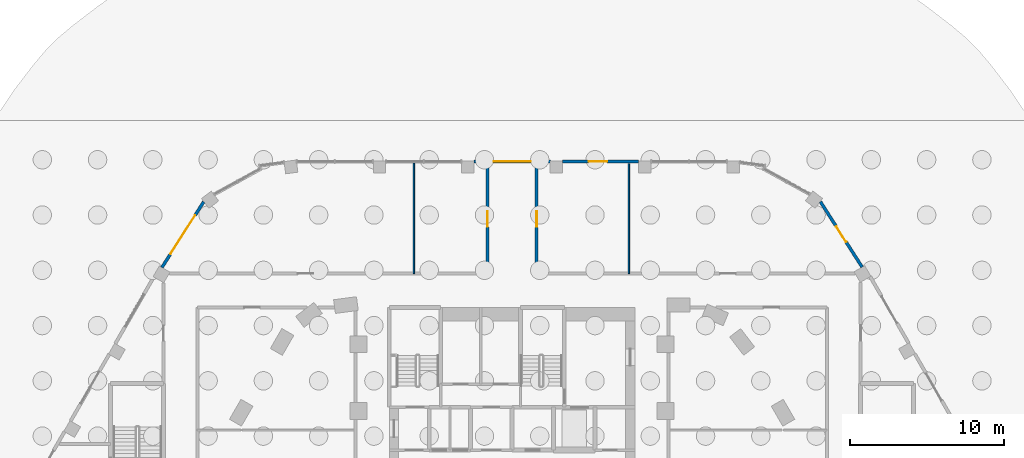
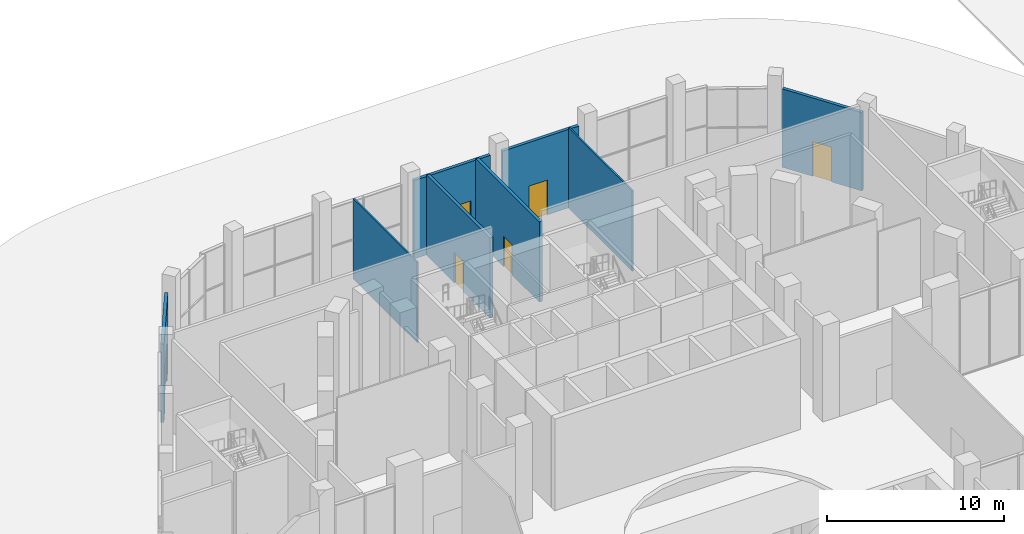
# One storey, part 33 of 44: 8 walls, 6 doors, 6 openings.
"""IFC4 building model written with IfcOpenShell, lengths in metres."""

from ifc_helpers import new_model, si_unit, direction, frame, frame_2d, origin, place, context, subcontext, project, spatial, rectangle, extrude, material, layer, layer_set, type_object, element, fill, save


model = new_model("IFC4")

# Units and contexts
model_context = context("Model", 3, precision=1e-05, world=origin(), true_north=direction((0.0, 1.0)))
body_context = subcontext(model_context, "Body", "Model", "MODEL_VIEW")
ifc_project = project(units=[si_unit("LENGTHUNIT", "METRE"), si_unit("AREAUNIT", "SQUARE_METRE"), si_unit("VOLUMEUNIT", "CUBIC_METRE"), si_unit("PLANEANGLEUNIT", "RADIAN"), si_unit("MASSUNIT", "GRAM", prefix="KILO")], contexts=[model_context])

# Site, building, storey
site_placement = place(None, origin())
site = spatial("IfcSite", under=ifc_project, at=site_placement, CompositionType="ELEMENT")
building_placement = place(site_placement, origin())
building = spatial("IfcBuilding", under=site, at=building_placement, Name="Nakaniwa Court", CompositionType="ELEMENT")
storey_placement = place(building_placement, origin())
storey = spatial("IfcBuildingStorey", under=building, at=storey_placement, Name="L00", CompositionType="ELEMENT", Elevation=0.0)

# Wall, opening, door
ifc_material_1 = material(Name="Acoustic double stud partition")
ifc_layer_1 = layer(ifc_material_1, 0.199951171875)
ifc_layer_set_1 = layer_set([ifc_layer_1], Name="Acoustic double stud partition")
wall_type_1 = type_object("IfcWallType", Name="Acoustic double stud partition 200", PredefinedType="PARTITIONING", material=ifc_layer_set_1)
wall_1_placement = place(storey_placement, frame((81.60009765625, 112.77001953125, 0.0), z_axis=(0.0, 0.0, 1.0), x_axis=(0.0, -1.0, 0.0)))
wall_1 = element("IfcWall", 1, at=wall_1_placement, inside=storey, type_object=wall_type_1, Name="Partition PW-100", PredefinedType="PARTITIONING", context=body_context, shape_type="SweptSolid", body=[
    extrude(rectangle(XDim=7.169921875, YDim=0.199951171875, at=frame_2d((3.5849609375, 0.0))), origin(), (0.0, 0.0, 1.0), 5.530029296875),
])
opening_1_placement = place(wall_1_placement, frame((3.1201171875, 0.0, 0.0)))
opening_1 = element("IfcOpeningElement", 2, at=opening_1_placement, cuts=wall_1, Name="Opening D-02-07", PredefinedType="OPENING", context=body_context, shape_type="SweptSolid", body=[
    extrude(rectangle(XDim=1.0, YDim=2.10009765625, at=frame_2d((0.5, 1.050048828125))), frame((0.0, 0.10986328125, 0.0), z_axis=(0.0, -1.0, 0.0), x_axis=(1.0, 0.0, 0.0)), (0.0, 0.0, 1.0), 0.219970703125),
])
ifc_material_2 = material(Name="Solid core timber door set, black veneer", Category="wood")
door_type_1 = type_object("IfcDoorType", Name="Internal door 1000", OperationType="NOTDEFINED", PredefinedType="DOOR", material=ifc_material_2)
door_1_placement = place(opening_1_placement, origin())
door_1 = element("IfcDoor", 3, at=door_1_placement, inside=storey, type_object=door_type_1, Name="Door D-02-07 L00-038", OperationType="SINGLE_SWING_LEFT", OverallHeight=2.10009765625, OverallWidth=1.0, PredefinedType="DOOR", context=body_context, shape_type="SweptSolid", body=[
    extrude(rectangle(XDim=1.0, YDim=2.10009765625, at=frame_2d((0.5, 1.050048828125))), frame((0.0, 0.02490234375, 0.0), z_axis=(0.0, -1.0, 0.0), x_axis=(1.0, 0.0, 0.0)), (0.0, 0.0, 1.0), 0.050048828125),
])
fill(opening_1, door_1)

wall_2_placement = place(storey_placement, frame((78.39990234375, 105.60009765625, 0.0), z_axis=(0.0, 0.0, 1.0), x_axis=(0.0, 1.0, 0.0)))
wall_2 = element("IfcWall", 4, at=wall_2_placement, inside=storey, type_object=wall_type_1, Name="Partition PW-102", PredefinedType="PARTITIONING", context=body_context, shape_type="SweptSolid", body=[
    extrude(rectangle(XDim=7.169921875, YDim=0.199951171875, at=frame_2d((3.5849609375, 0.0))), origin(), (0.0, 0.0, 1.0), 5.530029296875),
])
opening_2_placement = place(wall_2_placement, frame((3.050048828125, 0.0, 0.0)))
opening_2 = element("IfcOpeningElement", 5, at=opening_2_placement, cuts=wall_2, Name="Opening D-02-08", PredefinedType="OPENING", context=body_context, shape_type="SweptSolid", body=[
    extrude(rectangle(XDim=1.0, YDim=2.10009765625, at=frame_2d((0.5, 1.050048828125))), frame((0.0, 0.10986328125, 0.0), z_axis=(0.0, -1.0, 0.0), x_axis=(1.0, 0.0, 0.0)), (0.0, 0.0, 1.0), 0.219970703125),
])
door_2_placement = place(opening_2_placement, origin())
door_2 = element("IfcDoor", 6, at=door_2_placement, inside=storey, type_object=door_type_1, Name="Door D-02-08 L00-039", OperationType="SINGLE_SWING_RIGHT", OverallHeight=2.10009765625, OverallWidth=1.0, PredefinedType="DOOR", context=body_context, shape_type="SweptSolid", body=[
    extrude(rectangle(XDim=1.0, YDim=2.10009765625, at=frame_2d((0.5, 1.050048828125))), frame((0.0, 0.02490234375, 0.0), z_axis=(0.0, -1.0, 0.0), x_axis=(1.0, 0.0, 0.0)), (0.0, 0.0, 1.0), 0.050048828125),
])
fill(opening_2, door_2)

ifc_material_3 = material(Name="Charcoal ceramic cladding")
ifc_layer_2 = layer(ifc_material_3, 0.02, Name="Ceramic cladding")
ifc_material_4 = material(Name="Ventilated air cavity")
ifc_layer_3 = layer(ifc_material_4, 0.04, ventilated=True, Name="Ventilated cavity")
ifc_material_5 = material(Name="Mineral wool insulation")
ifc_layer_4 = layer(ifc_material_5, 0.05, Name="Insulation")
ifc_material_6 = material(Name="Cement bonded sheathing board")
ifc_layer_5 = layer(ifc_material_6, 0.012, Name="Sheathing")
ifc_material_7 = material(Name="Cold-formed galvanised stud frame with mineral wool infill")
ifc_layer_6 = layer(ifc_material_7, 0.05, Name="Stud frame")
ifc_material_8 = material(Name="Fire-rated gypsum plasterboard lining")
ifc_layer_7 = layer(ifc_material_8, 0.028, Name="Lining")
ifc_layer_set_2 = layer_set([ifc_layer_2, ifc_layer_3, ifc_layer_4, ifc_layer_5, ifc_layer_6, ifc_layer_7], Name="Charcoal ceramic faced external wall system")
wall_type_2 = type_object("IfcWallType", Name="Black ceramic faced external wall 200", PredefinedType="SOLIDWALL", material=ifc_layer_set_2)
wall_3_placement = place(storey_placement, frame((102.798095703125, 106.0224609375, 0.0), z_axis=(0.0, 0.0, 1.0), x_axis=(-0.537671911107, 0.843154147239, 0.0)))
wall_3 = element("IfcWall", 7, at=wall_3_placement, inside=storey, type_object=wall_type_2, Name="L00 entrance wall 43", PredefinedType="SOLIDWALL", context=body_context, shape_type="SweptSolid", body=[
    extrude(rectangle(XDim=5.056640625, YDim=0.199951171875, at=frame_2d((2.5283203125, 0.0))), origin(), (0.0, 0.0, 1.0), 5.39990234375),
])
opening_3_placement = place(wall_3_placement, frame((1.92822265625, 0.0, 0.0)))
opening_3 = element("IfcOpeningElement", 8, at=opening_3_placement, cuts=wall_3, Name="Opening XD3.23", PredefinedType="OPENING", context=body_context, shape_type="SweptSolid", body=[
    extrude(rectangle(XDim=1.199951171875, YDim=2.39990234375, at=frame_2d((0.60009765625, 1.199951171875))), frame((0.0, 0.10986328125, 0.0), z_axis=(0.0, -1.0, 0.0), x_axis=(1.0, 0.0, 0.0)), (0.0, 0.0, 1.0), 0.219970703125),
])
ifc_material_9 = material(Name="Black powder-coated aluminium frame with dark laminated glass", Category="aluminium")
door_type_2 = type_object("IfcDoorType", Name="Service door 1200x2400", OperationType="SINGLE_SWING_LEFT", PredefinedType="DOOR", material=ifc_material_9)
door_3_placement = place(opening_3_placement, frame((1.199951171875, 0.0, 0.0), z_axis=(0.0, 0.0, 1.0), x_axis=(-1.0, 0.0, 0.0)))
door_3 = element("IfcDoor", 9, at=door_3_placement, inside=storey, type_object=door_type_2, Name="L00 service door 43-0", OperationType="SINGLE_SWING_LEFT", OverallHeight=2.39990234375, OverallWidth=1.199951171875, PredefinedType="DOOR", context=body_context, shape_type="SweptSolid", body=[
    extrude(rectangle(XDim=1.199951171875, YDim=2.39990234375, at=frame_2d((0.60009765625, 1.199951171875))), frame((0.0, 0.02490234375, 0.0), z_axis=(0.0, -1.0, 0.0), x_axis=(1.0, 0.0, 0.0)), (0.0, 0.0, 1.0), 0.050048828125),
])
fill(opening_3, door_3)

wall_4_placement = place(storey_placement, frame((88.24658203125, 112.89990234375, 0.0), z_axis=(0.0, 0.0, 1.0), x_axis=(-1.0, 0.0, 0.0)))
wall_4 = element("IfcWall", 10, at=wall_4_placement, inside=storey, type_object=wall_type_2, Name="L00 entrance wall 47", PredefinedType="SOLIDWALL", context=body_context, shape_type="SweptSolid", body=[
    extrude(rectangle(XDim=4.9697265625, YDim=0.199951171875, at=frame_2d((2.48486328125, 0.0))), origin(), (0.0, 0.0, 1.0), 5.39990234375),
])
opening_4_placement = place(wall_4_placement, frame((2.05810546875, 0.0, 0.0)))
opening_4 = element("IfcOpeningElement", 11, at=opening_4_placement, cuts=wall_4, Name="Opening XD3.24", PredefinedType="OPENING", context=body_context, shape_type="SweptSolid", body=[
    extrude(rectangle(XDim=1.199951171875, YDim=2.39990234375, at=frame_2d((0.60009765625, 1.199951171875))), frame((0.0, 0.10986328125, 0.0), z_axis=(0.0, -1.0, 0.0), x_axis=(1.0, 0.0, 0.0)), (0.0, 0.0, 1.0), 0.219970703125),
])
door_4_placement = place(opening_4_placement, frame((1.199951171875, 0.0, 0.0), z_axis=(0.0, 0.0, 1.0), x_axis=(-1.0, 0.0, 0.0)))
door_4 = element("IfcDoor", 12, at=door_4_placement, inside=storey, type_object=door_type_2, Name="L00 service door 47-0", OperationType="SINGLE_SWING_LEFT", OverallHeight=2.39990234375, OverallWidth=1.199951171875, PredefinedType="DOOR", context=body_context, shape_type="SweptSolid", body=[
    extrude(rectangle(XDim=1.199951171875, YDim=2.39990234375, at=frame_2d((0.60009765625, 1.199951171875))), frame((0.0, 0.02490234375, 0.0), z_axis=(0.0, -1.0, 0.0), x_axis=(1.0, 0.0, 0.0)), (0.0, 0.0, 1.0), 0.050048828125),
])
fill(opening_4, door_4)

wall_5_placement = place(storey_placement, frame((82.48486328125, 112.89990234375, 0.0), z_axis=(0.0, 0.0, 1.0), x_axis=(-1.0, 0.0, 0.0)))
wall_5 = element("IfcWall", 13, at=wall_5_placement, inside=storey, type_object=wall_type_2, Name="L00 entrance wall 48", PredefinedType="SOLIDWALL", context=body_context, shape_type="SweptSolid", body=[
    extrude(rectangle(XDim=4.9697265625, YDim=0.199951171875, at=frame_2d((2.48486328125, 0.0))), origin(), (0.0, 0.0, 1.0), 5.39990234375),
])
opening_5_placement = place(wall_5_placement, frame((1.284912109375, 0.0, 0.0)))
opening_5 = element("IfcOpeningElement", 14, at=opening_5_placement, cuts=wall_5, Name="Opening XD5.25", PredefinedType="OPENING", context=body_context, shape_type="SweptSolid", body=[
    extrude(rectangle(XDim=2.39990234375, YDim=2.699951171875, at=frame_2d((1.199951171875, 1.35009765625))), frame((0.0, 0.10986328125, 0.0), z_axis=(0.0, -1.0, 0.0), x_axis=(1.0, 0.0, 0.0)), (0.0, 0.0, 1.0), 0.219970703125),
])
door_type_3 = type_object("IfcDoorType", Name="Entrance double door 2400x2700", OperationType="DOUBLE_DOOR_DOUBLE_SWING", PredefinedType="DOOR", material=ifc_material_9)
door_5_placement = place(opening_5_placement, frame((2.39990234375, 0.0, 0.0), z_axis=(0.0, 0.0, 1.0), x_axis=(-1.0, 0.0, 0.0)))
door_5 = element("IfcDoor", 15, at=door_5_placement, inside=storey, type_object=door_type_3, Name="L00 entrance double door 48-0", OperationType="DOUBLE_DOOR_DOUBLE_SWING", OverallHeight=2.699951171875, OverallWidth=2.39990234375, PredefinedType="DOOR", context=body_context, shape_type="SweptSolid", body=[
    extrude(rectangle(XDim=2.39990234375, YDim=2.699951171875, at=frame_2d((1.199951171875, 1.35009765625))), frame((0.0, 0.02490234375, 0.0), z_axis=(0.0, -1.0, 0.0), x_axis=(1.0, 0.0, 0.0)), (0.0, 0.0, 1.0), 0.050048828125),
])
fill(opening_5, door_5)

wall_6_placement = place(storey_placement, frame((59.911376953125, 110.2744140625, 0.0), z_axis=(0.0, 0.0, 1.0), x_axis=(-0.537224370512, -0.843439372882, 0.0)))
wall_6 = element("IfcWall", 16, at=wall_6_placement, inside=storey, type_object=wall_type_2, Name="L00 entrance wall 53", PredefinedType="SOLIDWALL", context=body_context, shape_type="SweptSolid", body=[
    extrude(rectangle(XDim=5.07080078125, YDim=0.199951171875, at=frame_2d((2.535400390625, 0.0))), origin(), (0.0, 0.0, 1.0), 5.39990234375),
])
opening_6_placement = place(wall_6_placement, frame((1.035400390625, 0.0, 0.0)))
opening_6 = element("IfcOpeningElement", 17, at=opening_6_placement, cuts=wall_6, Name="Opening XD8.26", PredefinedType="OPENING", context=body_context, shape_type="SweptSolid", body=[
    extrude(rectangle(XDim=3.0, YDim=3.0, at=frame_2d((1.5, 1.5))), frame((0.0, 0.10986328125, 0.0), z_axis=(0.0, -1.0, 0.0), x_axis=(1.0, 0.0, 0.0)), (0.0, 0.0, 1.0), 0.219970703125),
])
door_type_4 = type_object("IfcDoorType", Name="Loading roller shutter 3000x3000", OperationType="ROLLINGUP", PredefinedType="GATE", material=ifc_material_9)
door_6_placement = place(opening_6_placement, origin())
door_6 = element("IfcDoor", 18, at=door_6_placement, inside=storey, type_object=door_type_4, Name="L00 loading roller shutter 53-0", OperationType="ROLLINGUP", OverallHeight=3.0, OverallWidth=3.0, PredefinedType="GATE", context=body_context, shape_type="SweptSolid", body=[
    extrude(rectangle(XDim=3.0, YDim=3.0, at=frame_2d((1.5, 1.5))), frame((0.0, 0.02490234375, 0.0), z_axis=(0.0, -1.0, 0.0), x_axis=(1.0, 0.0, 0.0)), (0.0, 0.0, 1.0), 0.050048828125),
])
fill(opening_6, door_6)

# Walls
ifc_material_10 = material(Name="Single stud plasterboard partition")
ifc_layer_8 = layer(ifc_material_10, 0.10009765625)
ifc_layer_set_3 = layer_set([ifc_layer_8], Name="Single stud plasterboard partition")
wall_type_3 = type_object("IfcWallType", Name="Single stud plasterboard partition 100", PredefinedType="PARTITIONING", material=ifc_layer_set_3)
wall_7_placement = place(storey_placement, frame((73.60009765625, 105.60009765625, 0.0), z_axis=(0.0, 0.0, 1.0), x_axis=(0.0, 1.0, 0.0)))
element("IfcWall", 19, at=wall_7_placement, inside=storey, type_object=wall_type_3, Name="Partition PW-136", PredefinedType="PARTITIONING", context=body_context, shape_type="SweptSolid", body=[
    extrude(rectangle(XDim=7.219970703125, YDim=0.10009765625, at=frame_2d((3.60986328125, 0.0))), origin(), (0.0, 0.0, 1.0), 5.530029296875),
])
wall_8_placement = place(storey_placement, frame((87.60009765625, 105.60009765625, 0.0), z_axis=(0.0, 0.0, 1.0), x_axis=(0.0, 1.0, 0.0)))
element("IfcWall", 20, at=wall_8_placement, inside=storey, type_object=wall_type_3, Name="Partition PW-137", PredefinedType="PARTITIONING", context=body_context, shape_type="SweptSolid", body=[
    extrude(rectangle(XDim=7.169921875, YDim=0.10009765625, at=frame_2d((3.5849609375, 0.0))), origin(), (0.0, 0.0, 1.0), 5.530029296875),
])

save(model, "model.ifc")
